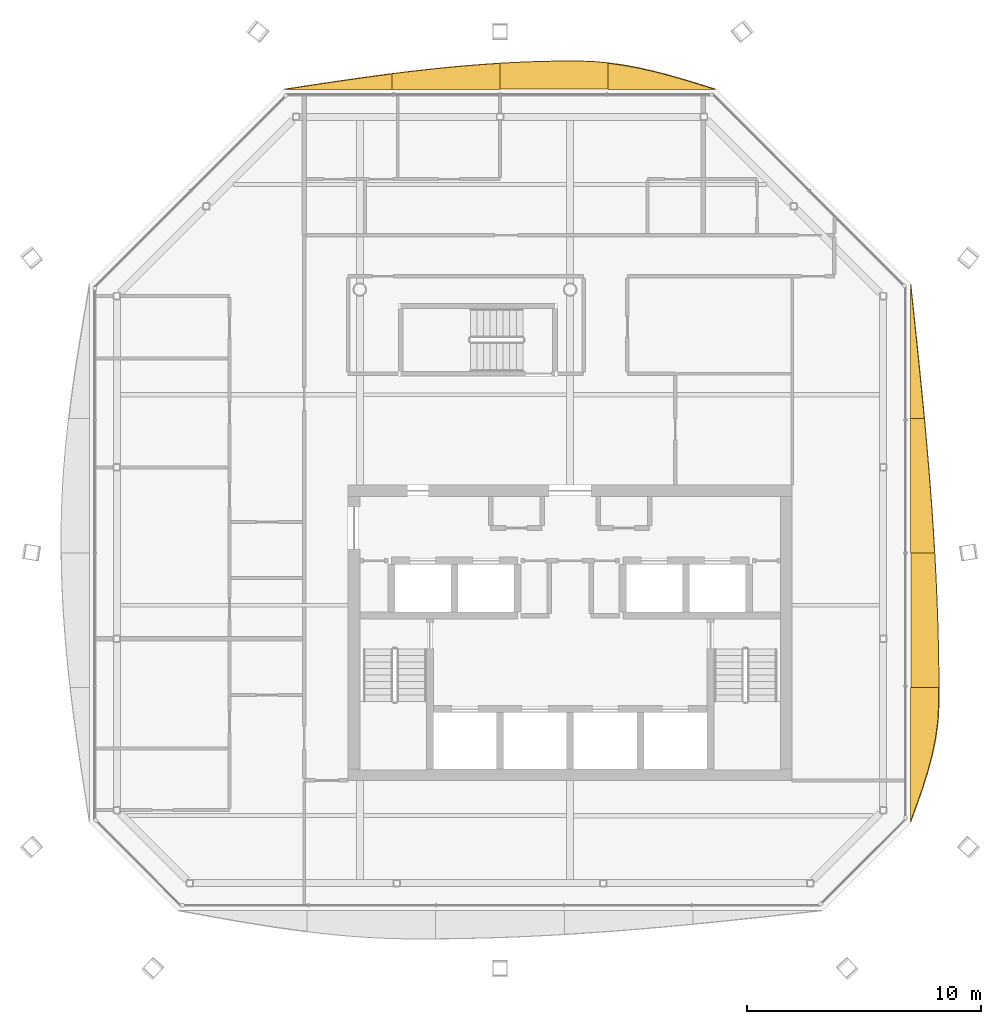
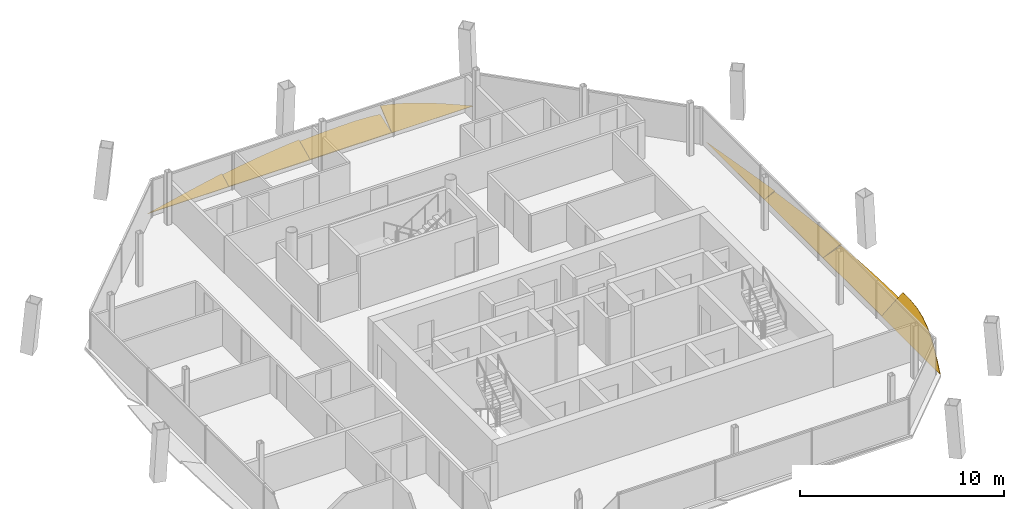
# One storey, part 16 of 16: 8 shading devices.
"""IFC4 building model written with IfcOpenShell, lengths in metres."""

from ifc_helpers import new_model, si_unit, direction, frame, origin, place, context, subcontext, project, spatial, polyline, outline, extrude, material, layer, layer_set, type_object, element, save


model = new_model("IFC4")

# Units and contexts
model_context = context("Model", 3, precision=1e-05, world=origin(), true_north=direction((0.0, 1.0)))
body_context = subcontext(model_context, "Body", "Model", "MODEL_VIEW")
ifc_project = project(units=[si_unit("LENGTHUNIT", "METRE"), si_unit("AREAUNIT", "SQUARE_METRE"), si_unit("VOLUMEUNIT", "CUBIC_METRE"), si_unit("PLANEANGLEUNIT", "RADIAN"), si_unit("MASSUNIT", "GRAM", prefix="KILO")], contexts=[model_context])

# Site, building, storey
site_placement = place(None, origin())
site = spatial("IfcSite", under=ifc_project, at=site_placement, CompositionType="ELEMENT")
building_placement = place(site_placement, origin())
building = spatial("IfcBuilding", under=site, at=building_placement, Name="Tskaro Facet Tower", CompositionType="ELEMENT")
storey_placement = place(building_placement, frame((0.0, 0.0, 251.85009765625)))
storey = spatial("IfcBuildingStorey", under=building, at=storey_placement, Name="L66", CompositionType="ELEMENT", Elevation=251.85009765625)

# Shading devices
ifc_material = material(Name="Bronze anodised aluminium 6063-T6", Category="aluminium")
ifc_layer = layer(ifc_material, 0.06005859375, Name="Bronze anodised aluminium 6063-T6")
ifc_layer_set = layer_set([ifc_layer], Name="Bronze anodised aluminium 6063-T6")
shading_device_type = type_object("IfcShadingDeviceType", Name="Bronze sun blade (FN1)", PredefinedType="USERDEFINED", material=ifc_layer_set)
shading_device_1_placement = place(storey_placement, frame((14.552490234375, -13.764892578125, 0.0458984375), z_axis=(-0.642796855338, 1.616755e-05, 0.766036684831), x_axis=(1.039245e-05, 0.999999999869, -1.2384936e-05)))
element("IfcShadingDevice", 1, at=shading_device_1_placement, inside=storey, type_object=shading_device_type, Name="Fin blade east 1", ObjectType="FIN", PredefinedType="USERDEFINED", context=body_context, shape_type="SweptSolid", body=[
    extrude(outline(polyline([(0.0, 0.0), (5.746582030498952, 0.0), (5.746582032344184, -1.5755875797333365), (5.148925782040833, -1.5778383214147444), (5.028320312228717, -1.5766194402365246), (4.310058591815866, -1.5263550405454231), (3.5915527333223842, -1.4029748708480783), (2.8732910148030526, -1.2127001820126195), (2.155029297617167, -0.964033054437585), (1.4365234372866673, -0.6696030105342647), (0.7182617183336046, -0.3429445882401073), (0.0, 0.0)])), origin(), (0.0, 0.0, -1.0), 0.06005859375),
])
shading_device_2_placement = place(storey_placement, frame((14.570556640625, -8.018310546875, 0.056396484375), z_axis=(-0.341978374513, -9.687212e-06, 0.939707822289), x_axis=(-3.312817e-06, 0.999999999953, 9.103149e-06)))
element("IfcShadingDevice", 2, at=shading_device_2_placement, inside=storey, type_object=shading_device_type, Name="Fin blade east 2", ObjectType="FIN", PredefinedType="USERDEFINED", context=body_context, shape_type="SweptSolid", body=[
    extrude(outline(polyline([(0.0, 0.0), (5.7468261716053535, -2.4338755548607148e-21), (5.746826172192679, -1.090682713485291), (5.028564453175408, -1.1314607641333598), (4.310058593947942, -1.1678377153608133), (3.591796874346603, -1.1995006554984953), (2.873535155968852, -1.2265330753605), (2.155029296776044, -1.2486220632776714), (1.4367675788269494, -1.2655381983949479), (0.7185058584653383, -1.277427410753297), (-4.88880887667381e-10, -1.2844566819809071), (0.0, 0.0)])), origin(), (0.0, 0.0, -1.0), 0.06005859375),
])
shading_device_3_placement = place(storey_placement, frame((14.565673828125, -2.271484375, 0.05419921875), z_axis=(-0.422696830287, 5.518097e-06, 0.906271145759), x_axis=(2.332482e-06, 0.999999999985, -5.000892e-06)))
element("IfcShadingDevice", 3, at=shading_device_3_placement, inside=storey, type_object=shading_device_type, Name="Fin blade east 3", ObjectType="FIN", PredefinedType="USERDEFINED", context=body_context, shape_type="SweptSolid", body=[
    extrude(outline(polyline([(0.0, 0.0), (5.746826171787506, 0.0), (5.746826172265733, -0.646496216541129), (5.028320312248666, -0.7190173930132451), (4.31005859391813, -0.788485551031929), (3.5917968748587548, -0.8547826304615654), (2.873291015666466, -0.9178054338338214), (2.1550292970218003, -0.9773327035447482), (1.4367675778123234, -1.0325974693141675), (0.7182617185519459, -1.0840422463499761), (3.219986253747884e-12, -1.1309000643719955), (0.0, 0.0)])), origin(), (0.0, 0.0, -1.0), 0.06005859375),
])
shading_device_4_placement = place(storey_placement, frame((14.56103515625, 3.475341796875, 0.0517578125), z_axis=(-0.500165777, -9.604194e-06, 0.865929671178), x_axis=(-4.803689e-06, 0.999999999954, 8.316556e-06)))
element("IfcShadingDevice", 4, at=shading_device_4_placement, inside=storey, type_object=shading_device_type, Name="Fin blade east 4", ObjectType="FIN", PredefinedType="USERDEFINED", context=body_context, shape_type="SweptSolid", body=[
    extrude(outline(polyline([(0.0, 0.0), (5.746582030984967, 0.0), (5.028320312693394, -0.08827294744440042), (4.310058593544187, -0.17621237549225777), (3.5915527352579084, -0.2633954669212978), (2.8732910161964944, -0.34936659154957134), (2.155029295734955, -0.43412574937707854), (1.436523436766628, -0.517038714570408), (0.7182617185110826, -0.5979833763441535), (-5.143039828035816e-10, -0.6766262153017724), (0.0, 0.0)])), origin(), (0.0, 0.0, -1.0), 0.06005859375),
])
shading_device_5_placement = place(storey_placement, frame((6.221923828125, 17.552490234375, 0.0458984375), z_axis=(1.3439977e-05, -0.642822887301, 0.766014840183), x_axis=(-0.99999999991, -8.639525e-06, 1.0295222e-05)))
element("IfcShadingDevice", 5, at=shading_device_5_placement, inside=storey, type_object=shading_device_type, Name="Fin blade north 1", ObjectType="FIN", PredefinedType="USERDEFINED", context=body_context, shape_type="SweptSolid", body=[
    extrude(outline(polyline([(0.0, 0.0), (4.610839843333565, -3.90553326216912e-21), (4.610839844134779, -1.473151995047302), (3.952148438382264, -1.3546172632528612), (3.293457029858041, -1.19607006048878), (2.6347656242212314, -1.0023257500818565), (1.9760742186939206, -0.7789477567263228), (1.3173828138201205, -0.5323443533445806), (0.6586914046245124, -0.27017276793129313), (0.0, 0.0)])), origin(), (0.0, 0.0, -1.0), 0.06005859375),
])
shading_device_6_placement = place(storey_placement, frame((1.611083984375, 17.570556640625, 0.056396484375), z_axis=(-1.0894172e-05, -0.341967307342, 0.939711849766), x_axis=(-0.999999999941, 3.725451e-06, -1.0237382e-05)))
element("IfcShadingDevice", 6, at=shading_device_6_placement, inside=storey, type_object=shading_device_type, Name="Fin blade north 2", ObjectType="FIN", PredefinedType="USERDEFINED", context=body_context, shape_type="SweptSolid", body=[
    extrude(outline(polyline([(0.0, 0.0), (4.611083984101371, 0.0), (4.61108398512847, -1.1818127681942523), (3.952392577653543, -1.2200461364855995), (3.29370117265569, -1.249623238653942), (2.635009765136191, -1.2707110509235782), (1.9763183582746995, -1.282683753393539), (1.4018554695102852, -1.286000189740495), (1.3176269529807498, -1.2857707679021595), (0.6586914058561832, -1.2621382729127226), (-5.967529758697446e-11, -1.2008147414207582), (0.0, 0.0)])), origin(), (0.0, 0.0, -1.0), 0.06005859375),
])
shading_device_7_placement = place(storey_placement, frame((-3.0, 17.565673828125, 0.05419921875), z_axis=(8.20945e-07, -0.422703563969, 0.906268005067), x_axis=(-1.0, -3.47016e-07, 7.43996e-07)))
element("IfcShadingDevice", 7, at=shading_device_7_placement, inside=storey, type_object=shading_device_type, Name="Fin blade north 3", ObjectType="FIN", PredefinedType="USERDEFINED", context=body_context, shape_type="SweptSolid", body=[
    extrude(outline(polyline([(0.0, 0.0), (4.611083984373447, 0.0), (4.611083984458052, -0.7338696961930625), (3.9523925780656803, -0.8237653422154096), (3.2934570311926885, -0.9080858026464175), (2.634765625076879, -0.9862853646994398), (1.976074218802493, -1.057390660526062), (1.317382812369532, -1.1214016901262835), (0.6586914062985185, -1.1775366252637038), (4.453351045654225e-11, -1.2254858686014314), (0.0, 0.0)])), origin(), (0.0, 0.0, -1.0), 0.06005859375),
])
shading_device_8_placement = place(storey_placement, frame((-7.611083984375, 17.56103515625, 0.0517578125), z_axis=(3.8226352e-05, -0.500265092886, 0.865872297385), x_axis=(-0.999999999269, -1.912331e-05, 3.3099139e-05)))
element("IfcShadingDevice", 8, at=shading_device_8_placement, inside=storey, type_object=shading_device_type, Name="Fin blade north 4", ObjectType="FIN", PredefinedType="USERDEFINED", context=body_context, shape_type="SweptSolid", body=[
    extrude(outline(polyline([(0.0, 0.0), (4.610839840381196, 0.0), (3.9521484389862134, -0.11595131999000005), (3.2934570307670947, -0.23123558070691963), (2.634765626318102, -0.3448850687021938), (1.976074218815102, -0.4562327247027421), (1.3173828107715102, -0.5641887002274677), (0.65869139877526, -0.6684194656398301), (-6.579386364754879e-09, -0.7679573074912647), (0.0, 0.0)])), origin(), (0.0, 0.0, -1.0), 0.06005859375),
])

save(model, "model.ifc")
